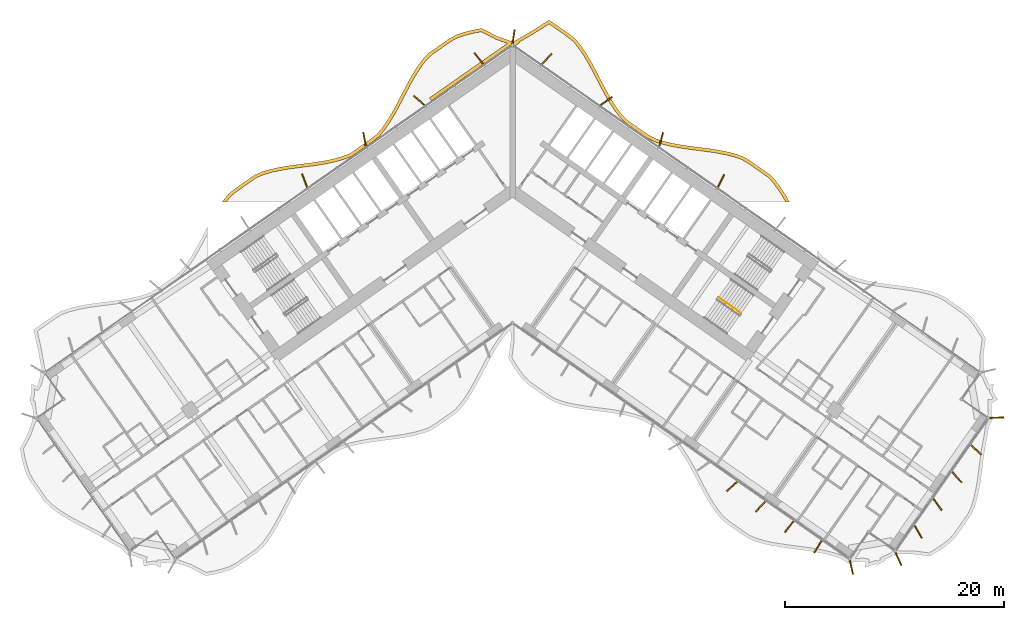
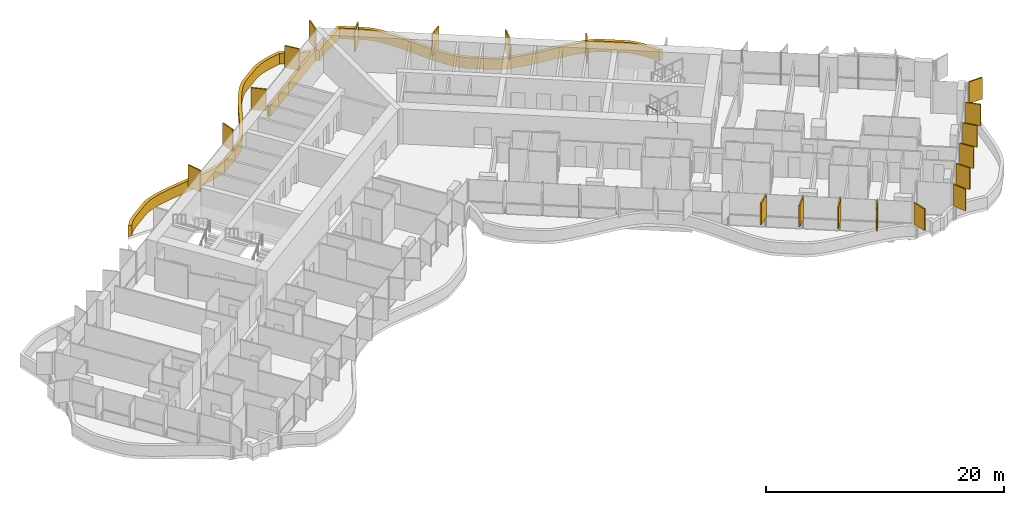
# One storey, part 24 of 25: 21 shading devices, 1 railing.
"""IFC4 building model written with IfcOpenShell, lengths in metres."""

from ifc_helpers import new_model, si_unit, direction, frame, origin, origin_2d, place, context, subcontext, project, spatial, polyline, rectangle, circle, outline, extrude, material, layer, layer_set, type_object, element, save


model = new_model("IFC4")

# Units and contexts
model_context = context("Model", 3, precision=1e-05, world=origin(), true_north=direction((0.0, 1.0)))
body_context = subcontext(model_context, "Body", "Model", "MODEL_VIEW")
ifc_project = project(units=[si_unit("LENGTHUNIT", "METRE"), si_unit("AREAUNIT", "SQUARE_METRE"), si_unit("VOLUMEUNIT", "CUBIC_METRE"), si_unit("PLANEANGLEUNIT", "RADIAN"), si_unit("MASSUNIT", "GRAM", prefix="KILO")], contexts=[model_context])

# Site, building, storey
site_placement = place(None, origin())
site = spatial("IfcSite", under=ifc_project, at=site_placement, CompositionType="ELEMENT")
building_placement = place(site_placement, origin())
building = spatial("IfcBuilding", under=site, at=building_placement, Name="Tel Ilan Convention Tower", CompositionType="ELEMENT")
storey_placement = place(building_placement, frame((0.0, 0.0, 54.5)))
storey = spatial("IfcBuildingStorey", under=building, at=storey_placement, Name="L08", CompositionType="ELEMENT", Elevation=54.5)

# Shading devices
ifc_material_1 = material(Name="Aluminium, bronze anodised", Category="aluminium")
ifc_layer_1 = layer(ifc_material_1, 0.1201171875)
ifc_layer_set_1 = layer_set([ifc_layer_1], Name="FIN BRONZE 1300x120")
shading_device_type_1 = type_object("IfcShadingDeviceType", Name="FIN BRONZE 1300x120", PredefinedType="USERDEFINED", material=ifc_layer_set_1)
for number, where, z_axis, x_axis, name in (
    (1, (19.058349609375, 0.2685546875, 1.10009765625), (0.0, 0.0, 1.0), (0.448799180206, 0.893632640321, 0.0), "FIN"),
    (2, (13.5869140625, 4.076416015625, 1.10009765625), (0.0, 0.0, 1.0), (0.268172612768, 0.963370878614, 0.0), "FIN"),
    (3, (8.580810546875, 7.581787109375, 1.10009765625), (0.0, 0.0, 1.0), (0.813552070258, 0.581492071294, 0.0), "FIN"),
    (4, (3.131103515625, 11.4208984375, 1.10009765625), (0.0, 0.0, 1.0), (0.686241637865, 0.727373641577, 0.0), "FIN"),
    (5, (0.09423828125, 13.469482421875, 1.10009765625), (0.0, 0.0, 1.0), (0.144931859301, 0.989441638582, 0.0), "FIN"),
    (6, (-3.079833984375, 11.45703125, 1.10009765625), (0.0, 0.0, 1.0), (-0.612600545196, 0.790392669516, 0.0), "FIN"),
    (7, (-8.53857421875, 7.626708984375, 1.10009765625), (0.0, 0.0, 1.0), (-0.753435896329, 0.657521368568, 0.0), "FIN"),
    (8, (-13.528564453125, 4.094970703125, 1.10009765625), (0.0, 0.0, 1.0), (-0.173648177667, 0.984807753012, 0.0), "FIN"),
    (9, (-19.00390625, 0.298583984375, 1.10009765625), (0.0, 0.0, 1.0), (-0.360177724803, 0.932883704733, 0.0), "FIN"),
    (10, (20.061767578125, -27.65283203125, 1.10009765625), (0.0, 0.0, 1.0), (-0.753435896329, -0.657521368568, 0.0), "FIN"),
    (11, (22.6787109375, -29.4931640625, 1.10009765625), (0.0, 0.0, 1.0), (-0.686241637865, -0.727373641577, 0.0), "FIN"),
    (12, (25.2998046875, -31.328857421875, 1.10009765625), (0.0, 0.0, 1.0), (-0.612600545196, -0.790392669516, 0.0), "FIN"),
    (13, (27.92138671875, -33.164306640625, 1.10009765625), (0.0, 0.0, 1.0), (-0.533204432798, -0.845986425922, 0.0), "FIN"),
    (14, (30.9833984375, -35.04833984375, 1.10009765625), (0.0, 0.0, 1.0), (0.221170268371, -0.975235208752, 0.0), "FIN"),
    (15, (35.283203125, -34.283203125, 1.10009765625), (0.0, 0.0, 1.0), (0.404964282034, -0.914332505315, 0.0), "FIN"),
    (16, (37.08349609375, -31.794921875, 1.10009765625), (0.0, 0.0, 1.0), (0.5, -0.866025403784, 0.0), "FIN"),
    (17, (38.852783203125, -29.30029296875, 1.10009765625), (0.0, 0.0, 1.0), (0.581492071294, -0.813552070258, 0.0), "FIN"),
    (18, (40.618408203125, -26.800537109375, 1.10009765625), (0.0, 0.0, 1.0), (0.657521368568, -0.753435896329, 0.0), "FIN"),
    (19, (42.3798828125, -24.296142578125, 1.10009765625), (0.0, 0.0, 1.0), (0.727373641577, -0.686241637865, 0.0), "FIN"),
    (20, (44.27880859375, -21.36767578125, 1.10009765625), (0.0, 0.0, 1.0), (0.999576950082, 0.029084718749, 0.0), "FIN"),
):
    element("IfcShadingDevice", number, at=place(storey_placement, frame(where, z_axis=z_axis, x_axis=x_axis)), inside=storey, type_object=shading_device_type_1, Name=name, ObjectType="FIN", PredefinedType="USERDEFINED", context=body_context, shape_type="SweptSolid", body=[
        extrude(rectangle(XDim=1.300048828125, YDim=0.1201171875, at=origin_2d()), origin(), (0.0, 0.0, 1.0), 2.219970703125),
    ])
ifc_material_2 = material(Name="Aluminium, bronze anodised", Category="aluminium")
ifc_layer_2 = layer(ifc_material_2, 0.300048828125)
ifc_layer_set_2 = layer_set([ifc_layer_2], Name="LOUVRE BAND 300x1100")
shading_device_type_2 = type_object("IfcShadingDeviceType", Name="LOUVRE BAND 300x1100", PredefinedType="USERDEFINED", material=ifc_layer_set_2)
shading_device_placement = place(storey_placement, origin())
element("IfcShadingDevice", 21, at=shading_device_placement, inside=storey, type_object=shading_device_type_2, Name="LOUVRE BAND 11.02", ObjectType="LOUVRE", PredefinedType="USERDEFINED", context=body_context, shape_type="SweptSolid", body=[
    extrude(outline(polyline([(-26.470947265625, -1.533447265625), (-26.5380859375, -1.631591796875), (-26.164794921875, -1.631591796875), (-25.768798828125, -1.13916015625), (-25.22119140625, -0.691162109375), (-23.4189453125, 0.570556640625), (-22.757568359375, 0.845947265625), (-22.025146484375, 1.0595703125), (-21.250732421875, 1.229248046875), (-20.445556640625, 1.36474609375), (-17.94091796875, 1.697021484375), (-17.10986328125, 1.831298828125), (-16.29736328125, 2.001220703125), (-15.51171875, 2.2197265625), (-14.73974609375, 2.50537109375), (-14.091552734375, 2.951171875), (-12.86083984375, 3.812744140625), (-12.2314453125, 4.287841796875), (-11.706298828125, 4.921142578125), (-11.2373046875, 5.590576171875), (-10.803466796875, 6.300537109375), (-10.395751953125, 7.0380859375), (-9.617919921875, 8.540283203125), (-9.227294921875, 9.275390625), (-8.822509765625, 9.9814453125), (-8.39501953125, 10.64501953125), (-7.941650390625, 11.25048828125), (-7.44140625, 11.75830078125), (-5.638916015625, 13.020263671875), (-5.01953125, 13.36328125), (-4.31494140625, 13.594970703125), (-3.555908203125, 13.7822265625), (-2.858154296875, 13.91259765625), (-1.501220703125, 13.2119140625), (-0.474609375, 12.85205078125), (-7.591552734375, 7.86865234375), (-7.41943359375, 7.623046875), (0.0, 12.818115234375), (0.261474609375, 12.635009765625), (0.71044921875, 12.94921875), (0.5732421875, 12.94921875), (1.861328125, 13.69384765625), (3.339111328125, 14.630615234375), (5.00537109375, 13.4638671875), (5.557861328125, 13.021728515625), (6.019775390625, 12.45166015625), (6.460205078125, 11.81103515625), (6.87451171875, 11.123046875), (7.270751953125, 10.399658203125), (8.04541015625, 8.9013671875), (8.444580078125, 8.155517578125), (8.865234375, 7.431396484375), (9.31689453125, 6.74169921875), (9.814697265625, 6.0908203125), (10.396484375, 5.538330078125), (12.26953125, 4.226806640625), (12.98193359375, 3.861572265625), (13.763427734375, 3.61376953125), (14.564697265625, 3.4228515625), (15.388427734375, 3.27392578125), (16.225341796875, 3.153076171875), (17.89892578125, 2.9375), (18.715087890625, 2.813720703125), (19.504638671875, 2.661376953125), (20.259033203125, 2.468505859375), (20.95556640625, 2.231201171875), (21.563720703125, 1.869873046875), (23.36572265625, 0.60791015625), (23.8505859375, 0.080322265625), (24.302001953125, -0.53466796875), (24.726318359375, -1.204345703125), (24.968505859375, -1.631591796875), (25.313232421875, -1.631591796875), (24.983642578125, -1.0498046875), (24.5498046875, -0.365478515625), (24.082763671875, 0.271240234375), (23.564453125, 0.8349609375), (21.7265625, 2.121826171875), (21.081787109375, 2.505126953125), (20.3447265625, 2.756103515625), (19.5703125, 2.9541015625), (18.76611328125, 3.109375), (17.940673828125, 3.234619140625), (16.265625, 3.450439453125), (15.4365234375, 3.570068359375), (14.626220703125, 3.716796875), (13.843505859375, 3.903076171875), (13.0966796875, 4.14013671875), (12.4248046875, 4.484375), (10.5869140625, 5.771484375), (10.038330078125, 6.2919921875), (9.561767578125, 6.915283203125), (9.12060546875, 7.5888671875), (8.70654296875, 8.3017578125), (8.31103515625, 9.040771484375), (7.535400390625, 10.540771484375), (7.134765625, 11.2724609375), (6.712646484375, 11.9736328125), (6.26025390625, 12.63134765625), (5.7705078125, 13.23583984375), (5.185302734375, 13.7041015625), (3.347412109375, 14.990966796875), (1.7060546875, 13.950439453125), (0.168701171875, 13.059326171875), (0.11474609375, 13.09521484375), (0.0, 13.1181640625), (-0.11474609375, 13.09521484375), (-0.168701171875, 13.059326171875), (-1.382080078125, 13.48828125), (-2.81201171875, 14.226318359375), (-3.619384765625, 14.075439453125), (-4.39794921875, 13.883544921875), (-5.14013671875, 13.639404296875), (-5.798095703125, 13.275146484375), (-7.635986328125, 11.98828125), (-8.169677734375, 11.446533203125), (-8.641357421875, 10.81640625), (-9.078857421875, 10.13720703125), (-9.489990234375, 9.42041015625), (-9.8837890625, 8.67919921875), (-10.66015625, 7.179931640625), (-11.06298828125, 6.451416015625), (-11.488525390625, 5.755126953125), (-11.945068359375, 5.103271484375), (-12.43994140625, 4.506103515625), (-13.037353515625, 4.055419921875), (-14.87890625, 2.773681640625), (-15.60400390625, 2.50537109375), (-16.3681640625, 2.29296875), (-17.16455078125, 2.12646484375), (-17.98486328125, 1.993896484375), (-20.490966796875, 1.661376953125), (-21.307861328125, 1.52392578125), (-22.099365234375, 1.350341796875), (-22.857421875, 1.129150390625), (-23.564453125, 0.8349609375), (-25.40234375, -0.451904296875), (-25.98291015625, -0.9267578125), (-26.470947265625, -1.533447265625)])), origin(), (0.0, 0.0, 1.0), 1.10009765625),
])

# Railing
ifc_material_3 = material(Name="Stainless Steel Grade 316", Category="steel")
railing_type = type_object("IfcRailingType", Name="Stainless Steel Stair Guard 1100 mm", PredefinedType="GUARDRAIL", material=ifc_material_3)
railing_placement = place(storey_placement, frame((20.89697265625, -11.824462890625, 0.179931640625)))
element("IfcRailing", 22, at=railing_placement, inside=storey, type_object=railing_type, Name="L08 S4 stair guard 1", PredefinedType="GUARDRAIL", context=body_context, shape_type="SweptSolid", body=[
    extrude(circle(Radius=0.02392578125, at=origin_2d()), frame((0.0, 0.0, 1.076171875), z_axis=(-0.689013013563, 0.482512838948, 0.540779462804), x_axis=(-0.573624882958, -0.819118119475, 0.0)), (0.0, 0.0, 1.0), 2.995849609375),
    extrude(circle(Radius=0.02099609375, at=origin_2d()), origin(), (0.0, 0.0, 1.0), 1.052001953125),
    extrude(circle(Radius=0.02099609375, at=origin_2d()), frame((-0.68798828125, 0.48193359375, 0.5400390625)), (0.0, 0.0, 1.0), 1.052001953125),
    extrude(circle(Radius=0.02099609375, at=origin_2d()), frame((-1.376220703125, 0.963623046875, 1.080078125)), (0.0, 0.0, 1.0), 1.052001953125),
    extrude(circle(Radius=0.02099609375, at=origin_2d()), frame((-2.064208984375, 1.445556640625, 1.6201171875)), (0.0, 0.0, 1.0), 1.052001953125),
])

save(model, "model.ifc")
